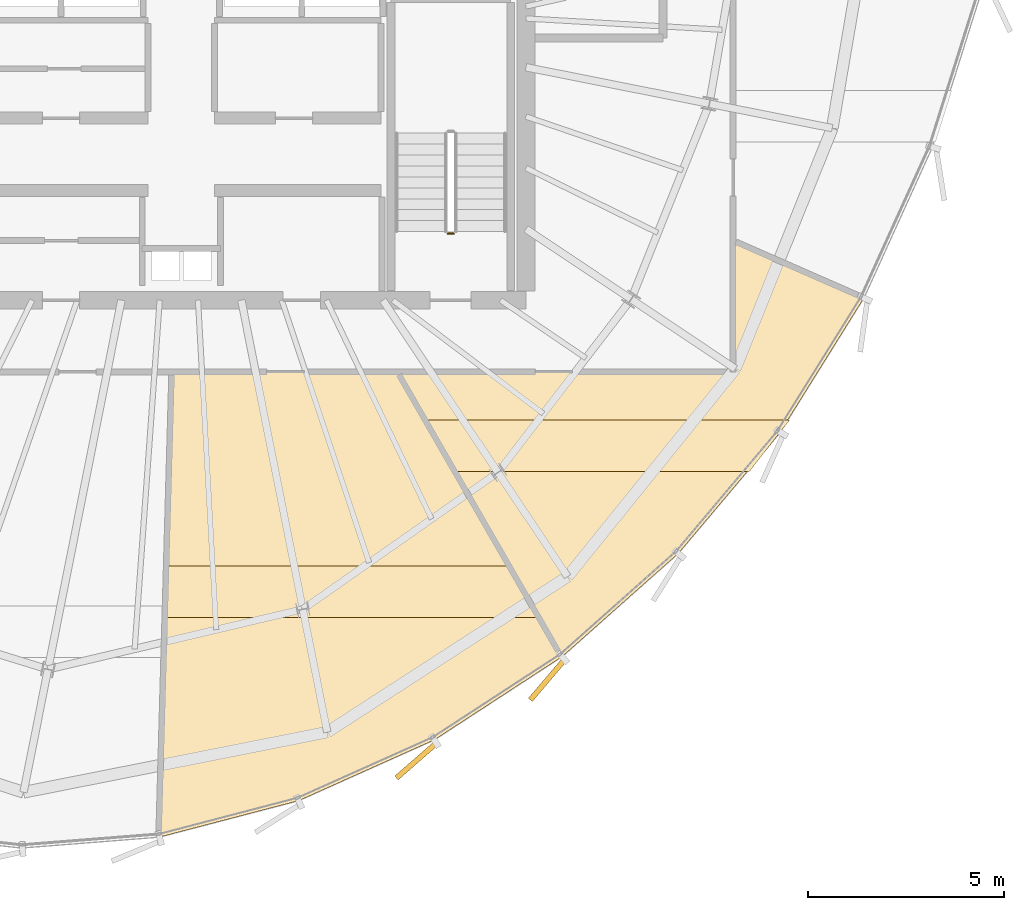
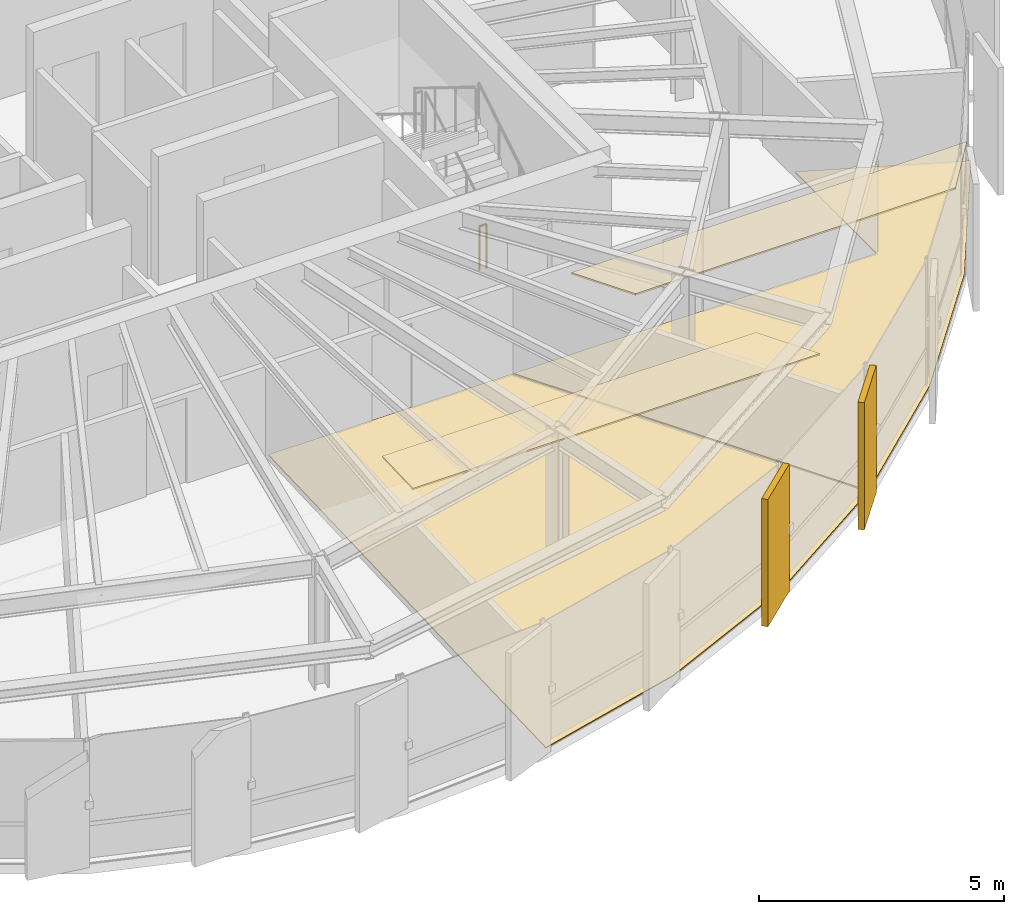
# One storey, part 30 of 32: 6 coverings, 1 railing.
"""IFC4 building model written with IfcOpenShell, lengths in metres."""

from ifc_helpers import new_model, si_unit, direction, frame, origin, origin_2d, place, context, subcontext, project, spatial, polyline, rectangle, circle, outline, extrude, source, transform, mapped, material, layer, layer_set, type_object, element, save


model = new_model("IFC4")

# Units and contexts
model_context = context("Model", 3, precision=1e-05, world=origin(), true_north=direction((0.0, 1.0)))
body_context = subcontext(model_context, "Body", "Model", "MODEL_VIEW")
ifc_project = project(units=[si_unit("LENGTHUNIT", "METRE"), si_unit("AREAUNIT", "SQUARE_METRE"), si_unit("VOLUMEUNIT", "CUBIC_METRE"), si_unit("PLANEANGLEUNIT", "RADIAN"), si_unit("MASSUNIT", "GRAM", prefix="KILO"), si_unit("THERMODYNAMICTEMPERATUREUNIT", "KELVIN")], contexts=[model_context])

# Site, building, storey
site_placement = place(None, origin())
site = spatial("IfcSite", under=ifc_project, at=site_placement, CompositionType="ELEMENT")
building_placement = place(site_placement, origin())
building = spatial("IfcBuilding", under=site, at=building_placement, Name="Kethvar Cultural Tower", CompositionType="ELEMENT")
storey_placement = place(building_placement, frame((0.0, 0.0, 252.550048828125)))
storey = spatial("IfcBuildingStorey", under=building, at=storey_placement, Name="L66", CompositionType="ELEMENT", Elevation=252.550048828125)

# Coverings
ifc_material_1 = material(Name="Acoustic Mineral Fibre Ceiling")
ifc_layer_1 = layer(ifc_material_1, 0.0400390625, Name="Acoustic Mineral Fibre Ceiling")
ifc_layer_set_1 = layer_set([ifc_layer_1], Name="Acoustic Mineral Fibre Ceiling (40 mm)")
covering_type_1 = type_object("IfcCoveringType", Name="CV-ACOUSTIC-CEIL", PredefinedType="CEILING", material=ifc_layer_set_1)
covering_1_placement = place(storey_placement, frame((0.0, 0.0, 3.0)))
element("IfcCovering", 1, at=covering_1_placement, inside=storey, type_object=covering_type_1, Name="L66 Room 03 Acoustic Ceiling Panel", PredefinedType="CEILING", context=body_context, shape_type="SweptSolid", body=[
    extrude(outline(polyline([(46.406494140625, 13.31201171875), (55.207763671875, 13.31201171875), (55.9658203125, 12.002197265625), (46.372802734375, 12.002197265625), (46.406494140625, 13.31201171875)])), origin(), (0.0, 0.0, 1.0), 0.0400390625),
])
covering_2_placement = place(storey_placement, frame((0.0, 0.0, 3.0)))
element("IfcCovering", 2, at=covering_2_placement, inside=storey, type_object=covering_type_1, Name="L66 Room 04 Acoustic Ceiling Panel", PredefinedType="CEILING", context=body_context, shape_type="SweptSolid", body=[
    extrude(outline(polyline([(62.33056640625, 17.03662109375), (61.3056640625, 15.7265625), (53.76416015625, 15.7265625), (53.006103515625, 17.03662109375), (62.33056640625, 17.03662109375)])), origin(), (0.0, 0.0, 1.0), 0.0400390625),
])
ifc_material_2 = material(Name="Architectural Oak Timber", Category="wood")
ifc_layer_2 = layer(ifc_material_2, 0.02490234375, Name="Architectural Oak Timber", Category="wood")
ifc_layer_set_2 = layer_set([ifc_layer_2], Name="Architectural Oak Timber (25 mm)")
covering_type_2 = type_object("IfcCoveringType", Name="CV-OAK-FLOOR", PredefinedType="FLOORING", material=ifc_layer_set_2)
covering_3_placement = place(storey_placement, origin())
element("IfcCovering", 3, at=covering_3_placement, inside=storey, type_object=covering_type_2, Name="L66 Room 03 Floor Finish", PredefinedType="FLOORING", context=body_context, shape_type="SweptSolid", body=[
    extrude(outline(polyline([(56.507080078125, 10.987060546875), (53.2568359375, 8.8701171875), (49.7958984375, 7.318603515625), (46.268310546875, 6.39599609375), (46.57373046875, 18.2490234375), (52.304443359375, 18.2490234375), (56.507080078125, 10.987060546875)])), origin(), (0.0, 0.0, 1.0), 0.02490234375),
])
covering_4_placement = place(storey_placement, origin())
element("IfcCovering", 4, at=covering_4_placement, inside=storey, type_object=covering_type_2, Name="L66 Room 04 Floor Finish", PredefinedType="FLOORING", context=body_context, shape_type="SweptSolid", body=[
    extrude(outline(polyline([(62.074951171875, 16.7021484375), (59.4912109375, 13.634033203125), (56.538818359375, 11.011962890625), (52.3505859375, 18.2490234375), (60.895751953125, 18.25048828125), (60.907958984375, 21.590087890625), (64.21826171875, 20.137939453125), (62.074951171875, 16.7021484375)])), origin(), (0.0, 0.0, 1.0), 0.02490234375),
])

# Railing
ifc_material_3 = material(Name="Steel S355J2", Category="steel")
railing_type = type_object("IfcRailingType", Name="RL-STAIR-GUARD", PredefinedType="BALUSTRADE", material=ifc_material_3)
railing_placement = place(storey_placement, frame((53.760009765625, 21.800048828125, 0.0)))
element("IfcRailing", 5, at=railing_placement, inside=storey, type_object=railing_type, Name="L66 ST-02 stair guard 4", PredefinedType="BALUSTRADE", context=body_context, shape_type="SweptSolid", body=[
    extrude(circle(Radius=0.02392578125, at=origin_2d()), frame((0.0, 0.0, 1.09619140625), z_axis=(-1.0, 0.0, 0.0), x_axis=(0.0, -1.0, 0.0)), (0.0, 0.0, 1.0), 0.159912109375),
    extrude(circle(Radius=0.02099609375, at=origin_2d()), origin(), (0.0, 0.0, 1.0), 1.072021484375),
    extrude(circle(Radius=0.02099609375, at=origin_2d()), frame((-0.159912109375, 0.0, 0.0)), (0.0, 0.0, 1.0), 1.072021484375),
])

# Coverings
ifc_material_4 = material(Name="Extruded Architectural Terracotta", Category="masonry")
ifc_layer_3 = layer(ifc_material_4, 0.135009765625, Name="Extruded Architectural Terracotta", Category="masonry")
ifc_layer_set_3 = layer_set([ifc_layer_3], Name="Extruded Architectural Terracotta (135 mm)")
covering_type_3 = type_object("IfcCoveringType", Name="Terracotta Facade Fin FIN-03", PredefinedType="CLADDING", material=ifc_layer_set_3)
shared_shape = source(origin(), body_context, "Body", "SweptSolid", [
    extrude(rectangle(XDim=1.35009765625, YDim=0.135009765625, at=origin_2d()), origin(), (0.0, 0.0, 1.0), 3.169921875),
])
for number, where, z_axis, x_axis, name in (
    (6, (52.80126953125, 8.341796875, 0.02001953125), (0.0, 0.0, 1.0), (-0.753792813636, -0.657112162503, 0.0), "L66 Vertical Terracotta Fin 5.4"),
    (7, (56.1494140625, 10.40673828125, 0.02001953125), (0.0, 0.0, 1.0), (-0.647986977684, -0.761651414199, 0.0), "L66 Vertical Terracotta Fin 5.5"),
):
    element("IfcCovering", number, at=place(storey_placement, frame(where, z_axis=z_axis, x_axis=x_axis)), inside=storey, type_object=covering_type_3, Name=name, PredefinedType="CLADDING", context=body_context, shape_type="MappedRepresentation", body=[
        mapped(shared_shape, transform((0.0, 0.0, 0.0), scale=1.0)),
    ])

save(model, "model.ifc")
